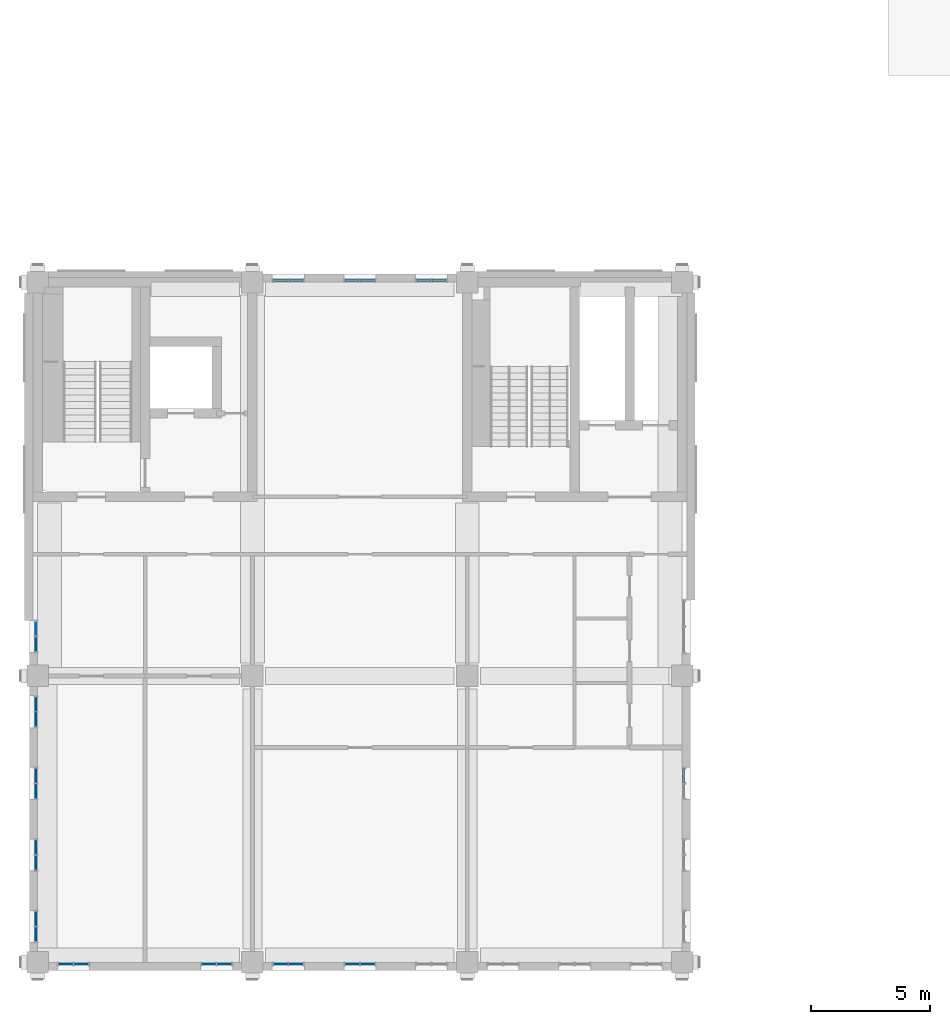
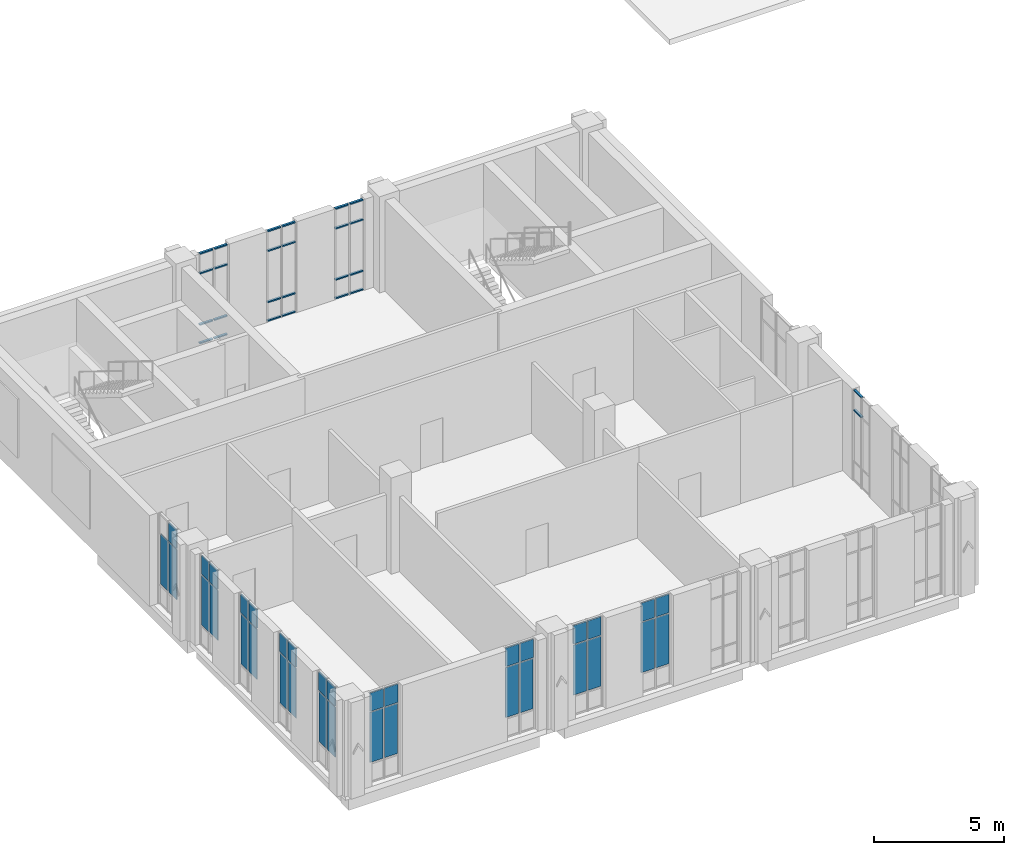
# One storey, part 12 of 25: 35 plates, 26 members, 13 elements without a shape of their own.
"""IFC4 building model written with IfcOpenShell, lengths in metres."""

from ifc_helpers import new_model, si_unit, direction, frame, origin, origin_2d, place, context, subcontext, project, spatial, rectangle, extrude, material, layer, layer_set, material_profile, profile_set, type_object, element, aggregate, save


model = new_model("IFC4")

# Units and contexts
model_context = context("Model", 3, precision=1e-05, world=origin(), true_north=direction((0.0, 1.0)))
body_context = subcontext(model_context, "Body", "Model", "MODEL_VIEW")
ifc_project = project(units=[si_unit("LENGTHUNIT", "METRE"), si_unit("AREAUNIT", "SQUARE_METRE"), si_unit("VOLUMEUNIT", "CUBIC_METRE"), si_unit("PLANEANGLEUNIT", "RADIAN"), si_unit("MASSUNIT", "GRAM", prefix="KILO")], contexts=[model_context])

# Site, building, storey
site_placement = place(None, origin())
site = spatial("IfcSite", under=ifc_project, at=site_placement, CompositionType="ELEMENT")
building_placement = place(site_placement, origin())
building = spatial("IfcBuilding", under=site, at=building_placement, Name="Aurelan Courthouse", CompositionType="ELEMENT")
storey_placement = place(building_placement, frame((0.0, 0.0, 44.39990234375)))
storey = spatial("IfcBuildingStorey", under=building, at=storey_placement, Name="L08", CompositionType="ELEMENT", Elevation=44.39990234375)

# Curtain wall, members
ifc_material_1 = material(Name="Bronze-finished aluminium and glass", Category="aluminium")
ifc_layer_1 = layer(ifc_material_1, 0.14990234375)
ifc_layer_set_1 = layer_set([ifc_layer_1], Name="Bronze-finished aluminium and glass")
curtain_wall_type = type_object("IfcCurtainWallType", Name="Curtain wall 1350 x 4250", PredefinedType="NOTDEFINED", material=ifc_layer_set_1)
curtain_wall_1_placement = place(storey_placement, origin())
curtain_wall_1 = element("IfcCurtainWall", 1, at=curtain_wall_1_placement, inside=storey, type_object=curtain_wall_type, Name="Curtain wall CW-V5-L08-N01", PredefinedType="NOTDEFINED")
ifc_material_2 = material(Name="Bronze-finished aluminium", Category="aluminium")
ifc_material_profile = material_profile(ifc_material_2, rectangle(XDim=0.10009765625, YDim=0.06005859375, at=origin_2d()), Name="Bronze transom 60 x 100")
ifc_profile_set = profile_set([ifc_material_profile], Name="Bronze-finished aluminium")
member_type = type_object("IfcMemberType", Name="Curtain wall transom 60 x 100", PredefinedType="USERDEFINED", material=ifc_profile_set)
member_1_placement = place(storey_placement, frame((9.885009765625, 28.574951171875, 0.030029296875), z_axis=(1.0, 0.0, 0.0), x_axis=(0.0, 1.0, 0.0)))
member_1 = element("IfcMember", 2, at=member_1_placement, type_object=member_type, Name="CW-V5-L08-N01 transom 1.1", ObjectType="TRANSOM", PredefinedType="USERDEFINED", context=body_context, shape_type="SweptSolid", body=[
    extrude(rectangle(XDim=0.10009765625, YDim=0.06005859375, at=origin_2d()), origin(), (0.0, 0.0, 1.0), 0.5849609375),
])
member_2_placement = place(storey_placement, frame((9.885009765625, 28.574951171875, 0.900146484375), z_axis=(1.0, 0.0, 0.0), x_axis=(0.0, 1.0, 0.0)))
member_2 = element("IfcMember", 3, at=member_2_placement, type_object=member_type, Name="CW-V5-L08-N01 transom 1.2", ObjectType="TRANSOM", PredefinedType="USERDEFINED", context=body_context, shape_type="SweptSolid", body=[
    extrude(rectangle(XDim=0.10009765625, YDim=0.06005859375, at=origin_2d()), origin(), (0.0, 0.0, 1.0), 0.5849609375),
])
member_3_placement = place(storey_placement, frame((9.885009765625, 28.574951171875, 3.300048828125), z_axis=(1.0, 0.0, 0.0), x_axis=(0.0, 1.0, 0.0)))
member_3 = element("IfcMember", 4, at=member_3_placement, type_object=member_type, Name="CW-V5-L08-N01 transom 1.3", ObjectType="TRANSOM", PredefinedType="USERDEFINED", context=body_context, shape_type="SweptSolid", body=[
    extrude(rectangle(XDim=0.10009765625, YDim=0.06005859375, at=origin_2d()), origin(), (0.0, 0.0, 1.0), 0.5849609375),
])
member_4_placement = place(storey_placement, frame((9.885009765625, 28.574951171875, 4.22021484375), z_axis=(1.0, 0.0, 0.0), x_axis=(0.0, 1.0, 0.0)))
member_4 = element("IfcMember", 5, at=member_4_placement, type_object=member_type, Name="CW-V5-L08-N01 transom 1.4", ObjectType="TRANSOM", PredefinedType="USERDEFINED", context=body_context, shape_type="SweptSolid", body=[
    extrude(rectangle(XDim=0.10009765625, YDim=0.06005859375, at=origin_2d()), origin(), (0.0, 0.0, 1.0), 0.5849609375),
])
member_5_placement = place(storey_placement, frame((10.530029296875, 28.574951171875, 0.030029296875), z_axis=(1.0, 0.0, 0.0), x_axis=(0.0, 1.0, 0.0)))
member_5 = element("IfcMember", 6, at=member_5_placement, type_object=member_type, Name="CW-V5-L08-N01 transom 2.1", ObjectType="TRANSOM", PredefinedType="USERDEFINED", context=body_context, shape_type="SweptSolid", body=[
    extrude(rectangle(XDim=0.10009765625, YDim=0.06005859375, at=origin_2d()), origin(), (0.0, 0.0, 1.0), 0.5849609375),
])
member_6_placement = place(storey_placement, frame((10.530029296875, 28.574951171875, 0.900146484375), z_axis=(1.0, 0.0, 0.0), x_axis=(0.0, 1.0, 0.0)))
member_6 = element("IfcMember", 7, at=member_6_placement, type_object=member_type, Name="CW-V5-L08-N01 transom 2.2", ObjectType="TRANSOM", PredefinedType="USERDEFINED", context=body_context, shape_type="SweptSolid", body=[
    extrude(rectangle(XDim=0.10009765625, YDim=0.06005859375, at=origin_2d()), origin(), (0.0, 0.0, 1.0), 0.5849609375),
])
member_7_placement = place(storey_placement, frame((10.530029296875, 28.574951171875, 3.300048828125), z_axis=(1.0, 0.0, 0.0), x_axis=(0.0, 1.0, 0.0)))
member_7 = element("IfcMember", 8, at=member_7_placement, type_object=member_type, Name="CW-V5-L08-N01 transom 2.3", ObjectType="TRANSOM", PredefinedType="USERDEFINED", context=body_context, shape_type="SweptSolid", body=[
    extrude(rectangle(XDim=0.10009765625, YDim=0.06005859375, at=origin_2d()), origin(), (0.0, 0.0, 1.0), 0.5849609375),
])
member_8_placement = place(storey_placement, frame((10.530029296875, 28.574951171875, 4.22021484375), z_axis=(1.0, 0.0, 0.0), x_axis=(0.0, 1.0, 0.0)))
member_8 = element("IfcMember", 9, at=member_8_placement, type_object=member_type, Name="CW-V5-L08-N01 transom 2.4", ObjectType="TRANSOM", PredefinedType="USERDEFINED", context=body_context, shape_type="SweptSolid", body=[
    extrude(rectangle(XDim=0.10009765625, YDim=0.06005859375, at=origin_2d()), origin(), (0.0, 0.0, 1.0), 0.5849609375),
])
aggregate(curtain_wall_1, [member_1, member_2, member_3, member_4, member_5, member_6, member_7, member_8])

curtain_wall_2_placement = place(storey_placement, origin())
curtain_wall_2 = element("IfcCurtainWall", 10, at=curtain_wall_2_placement, inside=storey, type_object=curtain_wall_type, Name="Curtain wall CW-V5-L08-N02", PredefinedType="NOTDEFINED")
member_9_placement = place(storey_placement, frame((12.885009765625, 28.574951171875, 0.030029296875), z_axis=(1.0, 0.0, 0.0), x_axis=(0.0, 1.0, 0.0)))
member_9 = element("IfcMember", 11, at=member_9_placement, type_object=member_type, Name="CW-V5-L08-N02 transom 1.1", ObjectType="TRANSOM", PredefinedType="USERDEFINED", context=body_context, shape_type="SweptSolid", body=[
    extrude(rectangle(XDim=0.10009765625, YDim=0.06005859375, at=origin_2d()), origin(), (0.0, 0.0, 1.0), 0.5849609375),
])
member_10_placement = place(storey_placement, frame((12.885009765625, 28.574951171875, 0.900146484375), z_axis=(1.0, 0.0, 0.0), x_axis=(0.0, 1.0, 0.0)))
member_10 = element("IfcMember", 12, at=member_10_placement, type_object=member_type, Name="CW-V5-L08-N02 transom 1.2", ObjectType="TRANSOM", PredefinedType="USERDEFINED", context=body_context, shape_type="SweptSolid", body=[
    extrude(rectangle(XDim=0.10009765625, YDim=0.06005859375, at=origin_2d()), origin(), (0.0, 0.0, 1.0), 0.5849609375),
])
member_11_placement = place(storey_placement, frame((12.885009765625, 28.574951171875, 3.300048828125), z_axis=(1.0, 0.0, 0.0), x_axis=(0.0, 1.0, 0.0)))
member_11 = element("IfcMember", 13, at=member_11_placement, type_object=member_type, Name="CW-V5-L08-N02 transom 1.3", ObjectType="TRANSOM", PredefinedType="USERDEFINED", context=body_context, shape_type="SweptSolid", body=[
    extrude(rectangle(XDim=0.10009765625, YDim=0.06005859375, at=origin_2d()), origin(), (0.0, 0.0, 1.0), 0.5849609375),
])
member_12_placement = place(storey_placement, frame((12.885009765625, 28.574951171875, 4.22021484375), z_axis=(1.0, 0.0, 0.0), x_axis=(0.0, 1.0, 0.0)))
member_12 = element("IfcMember", 14, at=member_12_placement, type_object=member_type, Name="CW-V5-L08-N02 transom 1.4", ObjectType="TRANSOM", PredefinedType="USERDEFINED", context=body_context, shape_type="SweptSolid", body=[
    extrude(rectangle(XDim=0.10009765625, YDim=0.06005859375, at=origin_2d()), origin(), (0.0, 0.0, 1.0), 0.5849609375),
])
member_13_placement = place(storey_placement, frame((13.530029296875, 28.574951171875, 0.030029296875), z_axis=(1.0, 0.0, 0.0), x_axis=(0.0, 1.0, 0.0)))
member_13 = element("IfcMember", 15, at=member_13_placement, type_object=member_type, Name="CW-V5-L08-N02 transom 2.1", ObjectType="TRANSOM", PredefinedType="USERDEFINED", context=body_context, shape_type="SweptSolid", body=[
    extrude(rectangle(XDim=0.10009765625, YDim=0.06005859375, at=origin_2d()), origin(), (0.0, 0.0, 1.0), 0.5849609375),
])
member_14_placement = place(storey_placement, frame((13.530029296875, 28.574951171875, 0.900146484375), z_axis=(1.0, 0.0, 0.0), x_axis=(0.0, 1.0, 0.0)))
member_14 = element("IfcMember", 16, at=member_14_placement, type_object=member_type, Name="CW-V5-L08-N02 transom 2.2", ObjectType="TRANSOM", PredefinedType="USERDEFINED", context=body_context, shape_type="SweptSolid", body=[
    extrude(rectangle(XDim=0.10009765625, YDim=0.06005859375, at=origin_2d()), origin(), (0.0, 0.0, 1.0), 0.5849609375),
])
member_15_placement = place(storey_placement, frame((13.530029296875, 28.574951171875, 3.300048828125), z_axis=(1.0, 0.0, 0.0), x_axis=(0.0, 1.0, 0.0)))
member_15 = element("IfcMember", 17, at=member_15_placement, type_object=member_type, Name="CW-V5-L08-N02 transom 2.3", ObjectType="TRANSOM", PredefinedType="USERDEFINED", context=body_context, shape_type="SweptSolid", body=[
    extrude(rectangle(XDim=0.10009765625, YDim=0.06005859375, at=origin_2d()), origin(), (0.0, 0.0, 1.0), 0.5849609375),
])
member_16_placement = place(storey_placement, frame((13.530029296875, 28.574951171875, 4.22021484375), z_axis=(1.0, 0.0, 0.0), x_axis=(0.0, 1.0, 0.0)))
member_16 = element("IfcMember", 18, at=member_16_placement, type_object=member_type, Name="CW-V5-L08-N02 transom 2.4", ObjectType="TRANSOM", PredefinedType="USERDEFINED", context=body_context, shape_type="SweptSolid", body=[
    extrude(rectangle(XDim=0.10009765625, YDim=0.06005859375, at=origin_2d()), origin(), (0.0, 0.0, 1.0), 0.5849609375),
])
aggregate(curtain_wall_2, [member_9, member_10, member_11, member_12, member_13, member_14, member_15, member_16])

curtain_wall_3_placement = place(storey_placement, origin())
curtain_wall_3 = element("IfcCurtainWall", 19, at=curtain_wall_3_placement, inside=storey, type_object=curtain_wall_type, Name="Curtain wall CW-V5-L08-N03", PredefinedType="NOTDEFINED")
member_17_placement = place(storey_placement, frame((15.885009765625, 28.574951171875, 0.030029296875), z_axis=(1.0, 0.0, 0.0), x_axis=(0.0, 1.0, 0.0)))
member_17 = element("IfcMember", 20, at=member_17_placement, type_object=member_type, Name="CW-V5-L08-N03 transom 1.1", ObjectType="TRANSOM", PredefinedType="USERDEFINED", context=body_context, shape_type="SweptSolid", body=[
    extrude(rectangle(XDim=0.10009765625, YDim=0.06005859375, at=origin_2d()), origin(), (0.0, 0.0, 1.0), 0.5849609375),
])
member_18_placement = place(storey_placement, frame((15.885009765625, 28.574951171875, 0.900146484375), z_axis=(1.0, 0.0, 0.0), x_axis=(0.0, 1.0, 0.0)))
member_18 = element("IfcMember", 21, at=member_18_placement, type_object=member_type, Name="CW-V5-L08-N03 transom 1.2", ObjectType="TRANSOM", PredefinedType="USERDEFINED", context=body_context, shape_type="SweptSolid", body=[
    extrude(rectangle(XDim=0.10009765625, YDim=0.06005859375, at=origin_2d()), origin(), (0.0, 0.0, 1.0), 0.5849609375),
])
member_19_placement = place(storey_placement, frame((15.885009765625, 28.574951171875, 3.300048828125), z_axis=(1.0, 0.0, 0.0), x_axis=(0.0, 1.0, 0.0)))
member_19 = element("IfcMember", 22, at=member_19_placement, type_object=member_type, Name="CW-V5-L08-N03 transom 1.3", ObjectType="TRANSOM", PredefinedType="USERDEFINED", context=body_context, shape_type="SweptSolid", body=[
    extrude(rectangle(XDim=0.10009765625, YDim=0.06005859375, at=origin_2d()), origin(), (0.0, 0.0, 1.0), 0.5849609375),
])
member_20_placement = place(storey_placement, frame((15.885009765625, 28.574951171875, 4.22021484375), z_axis=(1.0, 0.0, 0.0), x_axis=(0.0, 1.0, 0.0)))
member_20 = element("IfcMember", 23, at=member_20_placement, type_object=member_type, Name="CW-V5-L08-N03 transom 1.4", ObjectType="TRANSOM", PredefinedType="USERDEFINED", context=body_context, shape_type="SweptSolid", body=[
    extrude(rectangle(XDim=0.10009765625, YDim=0.06005859375, at=origin_2d()), origin(), (0.0, 0.0, 1.0), 0.5849609375),
])
member_21_placement = place(storey_placement, frame((16.530029296875, 28.574951171875, 0.030029296875), z_axis=(1.0, 0.0, 0.0), x_axis=(0.0, 1.0, 0.0)))
member_21 = element("IfcMember", 24, at=member_21_placement, type_object=member_type, Name="CW-V5-L08-N03 transom 2.1", ObjectType="TRANSOM", PredefinedType="USERDEFINED", context=body_context, shape_type="SweptSolid", body=[
    extrude(rectangle(XDim=0.10009765625, YDim=0.06005859375, at=origin_2d()), origin(), (0.0, 0.0, 1.0), 0.5849609375),
])
member_22_placement = place(storey_placement, frame((16.530029296875, 28.574951171875, 0.900146484375), z_axis=(1.0, 0.0, 0.0), x_axis=(0.0, 1.0, 0.0)))
member_22 = element("IfcMember", 25, at=member_22_placement, type_object=member_type, Name="CW-V5-L08-N03 transom 2.2", ObjectType="TRANSOM", PredefinedType="USERDEFINED", context=body_context, shape_type="SweptSolid", body=[
    extrude(rectangle(XDim=0.10009765625, YDim=0.06005859375, at=origin_2d()), origin(), (0.0, 0.0, 1.0), 0.5849609375),
])
member_23_placement = place(storey_placement, frame((16.530029296875, 28.574951171875, 3.300048828125), z_axis=(1.0, 0.0, 0.0), x_axis=(0.0, 1.0, 0.0)))
member_23 = element("IfcMember", 26, at=member_23_placement, type_object=member_type, Name="CW-V5-L08-N03 transom 2.3", ObjectType="TRANSOM", PredefinedType="USERDEFINED", context=body_context, shape_type="SweptSolid", body=[
    extrude(rectangle(XDim=0.10009765625, YDim=0.06005859375, at=origin_2d()), origin(), (0.0, 0.0, 1.0), 0.5849609375),
])
member_24_placement = place(storey_placement, frame((16.530029296875, 28.574951171875, 4.22021484375), z_axis=(1.0, 0.0, 0.0), x_axis=(0.0, 1.0, 0.0)))
member_24 = element("IfcMember", 27, at=member_24_placement, type_object=member_type, Name="CW-V5-L08-N03 transom 2.4", ObjectType="TRANSOM", PredefinedType="USERDEFINED", context=body_context, shape_type="SweptSolid", body=[
    extrude(rectangle(XDim=0.10009765625, YDim=0.06005859375, at=origin_2d()), origin(), (0.0, 0.0, 1.0), 0.5849609375),
])
aggregate(curtain_wall_3, [member_17, member_18, member_19, member_20, member_21, member_22, member_23, member_24])

curtain_wall_4_placement = place(storey_placement, origin())
curtain_wall_4 = element("IfcCurtainWall", 28, at=curtain_wall_4_placement, inside=storey, type_object=curtain_wall_type, Name="Curtain wall CW-V5-L08-E03", PredefinedType="NOTDEFINED")
member_25_placement = place(storey_placement, frame((27.074951171875, 7.530029296875, 3.300048828125), z_axis=(0.0, 1.0, 0.0), x_axis=(-1.0, 0.0, 0.0)))
member_25 = element("IfcMember", 29, at=member_25_placement, type_object=member_type, Name="CW-V5-L08-E03 transom 2.3", ObjectType="TRANSOM", PredefinedType="USERDEFINED", context=body_context, shape_type="SweptSolid", body=[
    extrude(rectangle(XDim=0.10009765625, YDim=0.06005859375, at=origin_2d()), origin(), (0.0, 0.0, 1.0), 0.5849609375),
])
member_26_placement = place(storey_placement, frame((27.074951171875, 7.530029296875, 4.22021484375), z_axis=(0.0, 1.0, 0.0), x_axis=(-1.0, 0.0, 0.0)))
member_26 = element("IfcMember", 30, at=member_26_placement, type_object=member_type, Name="CW-V5-L08-E03 transom 2.4", ObjectType="TRANSOM", PredefinedType="USERDEFINED", context=body_context, shape_type="SweptSolid", body=[
    extrude(rectangle(XDim=0.10009765625, YDim=0.06005859375, at=origin_2d()), origin(), (0.0, 0.0, 1.0), 0.5849609375),
])
aggregate(curtain_wall_4, [member_25, member_26])

# Curtain wall, plates
curtain_wall_5_placement = place(storey_placement, origin())
curtain_wall_5 = element("IfcCurtainWall", 31, at=curtain_wall_5_placement, inside=storey, type_object=curtain_wall_type, Name="Curtain wall CW-V5-L08-S01", PredefinedType="NOTDEFINED")
ifc_material_3 = material(Name="Limestone cladding", Category="masonry")
ifc_layer_2 = layer(ifc_material_3, 0.0400390625, Name="Facing")
ifc_material_4 = material(Name="Bronze sheet cladding", Category="bronze")
ifc_layer_3 = layer(ifc_material_4, 0.02001953125, Name="Back sheet")
ifc_layer_set_2 = layer_set([ifc_layer_2, ifc_layer_3], Name="Limestone cladding")
plate_type_1 = type_object("IfcPlateType", Name="Limestone spandrel panel with bronze back sheet 60", PredefinedType="CURTAIN_PANEL", material=ifc_layer_set_2)
plate_1_placement = place(storey_placement, frame((1.177490234375, -0.074951171875, 3.330078125), z_axis=(0.0, 0.0, 1.0), x_axis=(1.0, 0.0, 0.0)))
plate_1 = element("IfcPlate", 32, at=plate_1_placement, type_object=plate_type_1, Name="CW-V5-L08-S01 spandrel panel 1.3", PredefinedType="CURTAIN_PANEL", context=body_context, shape_type="SweptSolid", body=[
    extrude(rectangle(XDim=0.5849609375, YDim=0.06005859375, at=origin_2d()), origin(), (0.0, 0.0, 1.0), 0.860107421875),
])
plate_2_placement = place(storey_placement, frame((1.822509765625, -0.074951171875, 3.330078125), z_axis=(0.0, 0.0, 1.0), x_axis=(1.0, 0.0, 0.0)))
plate_2 = element("IfcPlate", 33, at=plate_2_placement, type_object=plate_type_1, Name="CW-V5-L08-S01 spandrel panel 2.3", PredefinedType="CURTAIN_PANEL", context=body_context, shape_type="SweptSolid", body=[
    extrude(rectangle(XDim=0.5849609375, YDim=0.06005859375, at=origin_2d()), origin(), (0.0, 0.0, 1.0), 0.860107421875),
])

curtain_wall_6_placement = place(storey_placement, origin())
curtain_wall_6 = element("IfcCurtainWall", 34, at=curtain_wall_6_placement, inside=storey, type_object=curtain_wall_type, Name="Curtain wall CW-V5-L08-S02", PredefinedType="NOTDEFINED")
plate_3_placement = place(storey_placement, frame((7.177490234375, -0.074951171875, 3.330078125), z_axis=(0.0, 0.0, 1.0), x_axis=(1.0, 0.0, 0.0)))
plate_3 = element("IfcPlate", 35, at=plate_3_placement, type_object=plate_type_1, Name="CW-V5-L08-S02 spandrel panel 1.3", PredefinedType="CURTAIN_PANEL", context=body_context, shape_type="SweptSolid", body=[
    extrude(rectangle(XDim=0.5849609375, YDim=0.06005859375, at=origin_2d()), origin(), (0.0, 0.0, 1.0), 0.860107421875),
])
plate_4_placement = place(storey_placement, frame((7.822509765625, -0.074951171875, 3.330078125), z_axis=(0.0, 0.0, 1.0), x_axis=(1.0, 0.0, 0.0)))
plate_4 = element("IfcPlate", 36, at=plate_4_placement, type_object=plate_type_1, Name="CW-V5-L08-S02 spandrel panel 2.3", PredefinedType="CURTAIN_PANEL", context=body_context, shape_type="SweptSolid", body=[
    extrude(rectangle(XDim=0.5849609375, YDim=0.06005859375, at=origin_2d()), origin(), (0.0, 0.0, 1.0), 0.860107421875),
])

curtain_wall_7_placement = place(storey_placement, origin())
curtain_wall_7 = element("IfcCurtainWall", 37, at=curtain_wall_7_placement, inside=storey, type_object=curtain_wall_type, Name="Curtain wall CW-V5-L08-S03", PredefinedType="NOTDEFINED")
plate_5_placement = place(storey_placement, frame((10.177490234375, -0.074951171875, 3.330078125), z_axis=(0.0, 0.0, 1.0), x_axis=(1.0, 0.0, 0.0)))
plate_5 = element("IfcPlate", 38, at=plate_5_placement, type_object=plate_type_1, Name="CW-V5-L08-S03 spandrel panel 1.3", PredefinedType="CURTAIN_PANEL", context=body_context, shape_type="SweptSolid", body=[
    extrude(rectangle(XDim=0.5849609375, YDim=0.06005859375, at=origin_2d()), origin(), (0.0, 0.0, 1.0), 0.860107421875),
])
plate_6_placement = place(storey_placement, frame((10.822509765625, -0.074951171875, 3.330078125), z_axis=(0.0, 0.0, 1.0), x_axis=(1.0, 0.0, 0.0)))
plate_6 = element("IfcPlate", 39, at=plate_6_placement, type_object=plate_type_1, Name="CW-V5-L08-S03 spandrel panel 2.3", PredefinedType="CURTAIN_PANEL", context=body_context, shape_type="SweptSolid", body=[
    extrude(rectangle(XDim=0.5849609375, YDim=0.06005859375, at=origin_2d()), origin(), (0.0, 0.0, 1.0), 0.860107421875),
])

curtain_wall_8_placement = place(storey_placement, origin())
curtain_wall_8 = element("IfcCurtainWall", 40, at=curtain_wall_8_placement, inside=storey, type_object=curtain_wall_type, Name="Curtain wall CW-V5-L08-S04", PredefinedType="NOTDEFINED")
plate_7_placement = place(storey_placement, frame((13.177490234375, -0.074951171875, 3.330078125), z_axis=(0.0, 0.0, 1.0), x_axis=(1.0, 0.0, 0.0)))
plate_7 = element("IfcPlate", 41, at=plate_7_placement, type_object=plate_type_1, Name="CW-V5-L08-S04 spandrel panel 1.3", PredefinedType="CURTAIN_PANEL", context=body_context, shape_type="SweptSolid", body=[
    extrude(rectangle(XDim=0.5849609375, YDim=0.06005859375, at=origin_2d()), origin(), (0.0, 0.0, 1.0), 0.860107421875),
])
plate_8_placement = place(storey_placement, frame((13.822509765625, -0.074951171875, 3.330078125), z_axis=(0.0, 0.0, 1.0), x_axis=(1.0, 0.0, 0.0)))
plate_8 = element("IfcPlate", 42, at=plate_8_placement, type_object=plate_type_1, Name="CW-V5-L08-S04 spandrel panel 2.3", PredefinedType="CURTAIN_PANEL", context=body_context, shape_type="SweptSolid", body=[
    extrude(rectangle(XDim=0.5849609375, YDim=0.06005859375, at=origin_2d()), origin(), (0.0, 0.0, 1.0), 0.860107421875),
])

curtain_wall_9_placement = place(storey_placement, origin())
curtain_wall_9 = element("IfcCurtainWall", 43, at=curtain_wall_9_placement, inside=storey, type_object=curtain_wall_type, Name="Curtain wall CW-V5-L08-W01", PredefinedType="NOTDEFINED")
plate_9_placement = place(storey_placement, frame((-0.074951171875, 1.177490234375, 3.330078125), z_axis=(0.0, 0.0, 1.0), x_axis=(0.0, 1.0, 0.0)))
plate_9 = element("IfcPlate", 44, at=plate_9_placement, type_object=plate_type_1, Name="CW-V5-L08-W01 spandrel panel 1.3", PredefinedType="CURTAIN_PANEL", context=body_context, shape_type="SweptSolid", body=[
    extrude(rectangle(XDim=0.5849609375, YDim=0.06005859375, at=origin_2d()), origin(), (0.0, 0.0, 1.0), 0.860107421875),
])
plate_10_placement = place(storey_placement, frame((-0.074951171875, 1.822509765625, 3.330078125), z_axis=(0.0, 0.0, 1.0), x_axis=(0.0, 1.0, 0.0)))
plate_10 = element("IfcPlate", 45, at=plate_10_placement, type_object=plate_type_1, Name="CW-V5-L08-W01 spandrel panel 2.3", PredefinedType="CURTAIN_PANEL", context=body_context, shape_type="SweptSolid", body=[
    extrude(rectangle(XDim=0.5849609375, YDim=0.06005859375, at=origin_2d()), origin(), (0.0, 0.0, 1.0), 0.860107421875),
])

curtain_wall_10_placement = place(storey_placement, origin())
curtain_wall_10 = element("IfcCurtainWall", 46, at=curtain_wall_10_placement, inside=storey, type_object=curtain_wall_type, Name="Curtain wall CW-V5-L08-W02", PredefinedType="NOTDEFINED")
plate_11_placement = place(storey_placement, frame((-0.074951171875, 4.177490234375, 3.330078125), z_axis=(0.0, 0.0, 1.0), x_axis=(0.0, 1.0, 0.0)))
plate_11 = element("IfcPlate", 47, at=plate_11_placement, type_object=plate_type_1, Name="CW-V5-L08-W02 spandrel panel 1.3", PredefinedType="CURTAIN_PANEL", context=body_context, shape_type="SweptSolid", body=[
    extrude(rectangle(XDim=0.5849609375, YDim=0.06005859375, at=origin_2d()), origin(), (0.0, 0.0, 1.0), 0.860107421875),
])
plate_12_placement = place(storey_placement, frame((-0.074951171875, 4.822509765625, 3.330078125), z_axis=(0.0, 0.0, 1.0), x_axis=(0.0, 1.0, 0.0)))
plate_12 = element("IfcPlate", 48, at=plate_12_placement, type_object=plate_type_1, Name="CW-V5-L08-W02 spandrel panel 2.3", PredefinedType="CURTAIN_PANEL", context=body_context, shape_type="SweptSolid", body=[
    extrude(rectangle(XDim=0.5849609375, YDim=0.06005859375, at=origin_2d()), origin(), (0.0, 0.0, 1.0), 0.860107421875),
])

curtain_wall_11_placement = place(storey_placement, origin())
curtain_wall_11 = element("IfcCurtainWall", 49, at=curtain_wall_11_placement, inside=storey, type_object=curtain_wall_type, Name="Curtain wall CW-V5-L08-W03", PredefinedType="NOTDEFINED")
plate_13_placement = place(storey_placement, frame((-0.074951171875, 7.177490234375, 3.330078125), z_axis=(0.0, 0.0, 1.0), x_axis=(0.0, 1.0, 0.0)))
plate_13 = element("IfcPlate", 50, at=plate_13_placement, type_object=plate_type_1, Name="CW-V5-L08-W03 spandrel panel 1.3", PredefinedType="CURTAIN_PANEL", context=body_context, shape_type="SweptSolid", body=[
    extrude(rectangle(XDim=0.5849609375, YDim=0.06005859375, at=origin_2d()), origin(), (0.0, 0.0, 1.0), 0.860107421875),
])
plate_14_placement = place(storey_placement, frame((-0.074951171875, 7.822509765625, 3.330078125), z_axis=(0.0, 0.0, 1.0), x_axis=(0.0, 1.0, 0.0)))
plate_14 = element("IfcPlate", 51, at=plate_14_placement, type_object=plate_type_1, Name="CW-V5-L08-W03 spandrel panel 2.3", PredefinedType="CURTAIN_PANEL", context=body_context, shape_type="SweptSolid", body=[
    extrude(rectangle(XDim=0.5849609375, YDim=0.06005859375, at=origin_2d()), origin(), (0.0, 0.0, 1.0), 0.860107421875),
])

curtain_wall_12_placement = place(storey_placement, origin())
curtain_wall_12 = element("IfcCurtainWall", 52, at=curtain_wall_12_placement, inside=storey, type_object=curtain_wall_type, Name="Curtain wall CW-V5-L08-W04", PredefinedType="NOTDEFINED")
plate_15_placement = place(storey_placement, frame((-0.074951171875, 10.177490234375, 3.330078125), z_axis=(0.0, 0.0, 1.0), x_axis=(0.0, 1.0, 0.0)))
plate_15 = element("IfcPlate", 53, at=plate_15_placement, type_object=plate_type_1, Name="CW-V5-L08-W04 spandrel panel 1.3", PredefinedType="CURTAIN_PANEL", context=body_context, shape_type="SweptSolid", body=[
    extrude(rectangle(XDim=0.5849609375, YDim=0.06005859375, at=origin_2d()), origin(), (0.0, 0.0, 1.0), 0.860107421875),
])
plate_16_placement = place(storey_placement, frame((-0.074951171875, 10.822509765625, 3.330078125), z_axis=(0.0, 0.0, 1.0), x_axis=(0.0, 1.0, 0.0)))
plate_16 = element("IfcPlate", 54, at=plate_16_placement, type_object=plate_type_1, Name="CW-V5-L08-W04 spandrel panel 2.3", PredefinedType="CURTAIN_PANEL", context=body_context, shape_type="SweptSolid", body=[
    extrude(rectangle(XDim=0.5849609375, YDim=0.06005859375, at=origin_2d()), origin(), (0.0, 0.0, 1.0), 0.860107421875),
])

# Curtain wall, plate
curtain_wall_13_placement = place(storey_placement, origin())
curtain_wall_13 = element("IfcCurtainWall", 55, at=curtain_wall_13_placement, inside=storey, type_object=curtain_wall_type, Name="Curtain wall CW-V5-L08-W05", PredefinedType="NOTDEFINED")
plate_17_placement = place(storey_placement, frame((-0.074951171875, 13.327392578125, 3.330078125), z_axis=(0.0, 0.0, 1.0), x_axis=(0.0, 1.0, 0.0)))
plate_17 = element("IfcPlate", 56, at=plate_17_placement, type_object=plate_type_1, Name="CW-V5-L08-W05 spandrel panel 1.3", PredefinedType="CURTAIN_PANEL", context=body_context, shape_type="SweptSolid", body=[
    extrude(rectangle(XDim=0.5849609375, YDim=0.06005859375, at=origin_2d()), origin(), (0.0, 0.0, 1.0), 0.860107421875),
])

# Plate
ifc_material_5 = material(Name="Laminated low-emissivity glass", Category="glass")
ifc_layer_4 = layer(ifc_material_5, 0.028076171875)
ifc_layer_set_3 = layer_set([ifc_layer_4], Name="Laminated low-emissivity glass")
plate_type_2 = type_object("IfcPlateType", Name="Vision glass panel 28", PredefinedType="CURTAIN_PANEL", material=ifc_layer_set_3)
plate_18_placement = place(storey_placement, frame((1.177490234375, -0.074951171875, 0.93017578125), z_axis=(0.0, 0.0, 1.0), x_axis=(1.0, 0.0, 0.0)))
plate_18 = element("IfcPlate", 57, at=plate_18_placement, type_object=plate_type_2, Name="CW-V5-L08-S01 vision panel 1.2", PredefinedType="CURTAIN_PANEL", context=body_context, shape_type="SweptSolid", body=[
    extrude(rectangle(XDim=0.5849609375, YDim=0.028076171875, at=origin_2d()), origin(), (0.0, 0.0, 1.0), 2.340087890625),
])

plate_19_placement = place(storey_placement, frame((1.822509765625, -0.074951171875, 0.93017578125), z_axis=(0.0, 0.0, 1.0), x_axis=(1.0, 0.0, 0.0)))
plate_19 = element("IfcPlate", 58, at=plate_19_placement, type_object=plate_type_2, Name="CW-V5-L08-S01 vision panel 2.2", PredefinedType="CURTAIN_PANEL", context=body_context, shape_type="SweptSolid", body=[
    extrude(rectangle(XDim=0.5849609375, YDim=0.028076171875, at=origin_2d()), origin(), (0.0, 0.0, 1.0), 2.340087890625),
])

aggregate(curtain_wall_5, [plate_18, plate_1, plate_19, plate_2])

plate_20_placement = place(storey_placement, frame((7.177490234375, -0.074951171875, 0.93017578125), z_axis=(0.0, 0.0, 1.0), x_axis=(1.0, 0.0, 0.0)))
plate_20 = element("IfcPlate", 59, at=plate_20_placement, type_object=plate_type_2, Name="CW-V5-L08-S02 vision panel 1.2", PredefinedType="CURTAIN_PANEL", context=body_context, shape_type="SweptSolid", body=[
    extrude(rectangle(XDim=0.5849609375, YDim=0.028076171875, at=origin_2d()), origin(), (0.0, 0.0, 1.0), 2.340087890625),
])

plate_21_placement = place(storey_placement, frame((7.822509765625, -0.074951171875, 0.93017578125), z_axis=(0.0, 0.0, 1.0), x_axis=(1.0, 0.0, 0.0)))
plate_21 = element("IfcPlate", 60, at=plate_21_placement, type_object=plate_type_2, Name="CW-V5-L08-S02 vision panel 2.2", PredefinedType="CURTAIN_PANEL", context=body_context, shape_type="SweptSolid", body=[
    extrude(rectangle(XDim=0.5849609375, YDim=0.028076171875, at=origin_2d()), origin(), (0.0, 0.0, 1.0), 2.340087890625),
])

aggregate(curtain_wall_6, [plate_20, plate_3, plate_21, plate_4])

plate_22_placement = place(storey_placement, frame((10.177490234375, -0.074951171875, 0.93017578125), z_axis=(0.0, 0.0, 1.0), x_axis=(1.0, 0.0, 0.0)))
plate_22 = element("IfcPlate", 61, at=plate_22_placement, type_object=plate_type_2, Name="CW-V5-L08-S03 vision panel 1.2", PredefinedType="CURTAIN_PANEL", context=body_context, shape_type="SweptSolid", body=[
    extrude(rectangle(XDim=0.5849609375, YDim=0.028076171875, at=origin_2d()), origin(), (0.0, 0.0, 1.0), 2.340087890625),
])

plate_23_placement = place(storey_placement, frame((10.822509765625, -0.074951171875, 0.93017578125), z_axis=(0.0, 0.0, 1.0), x_axis=(1.0, 0.0, 0.0)))
plate_23 = element("IfcPlate", 62, at=plate_23_placement, type_object=plate_type_2, Name="CW-V5-L08-S03 vision panel 2.2", PredefinedType="CURTAIN_PANEL", context=body_context, shape_type="SweptSolid", body=[
    extrude(rectangle(XDim=0.5849609375, YDim=0.028076171875, at=origin_2d()), origin(), (0.0, 0.0, 1.0), 2.340087890625),
])

aggregate(curtain_wall_7, [plate_22, plate_5, plate_23, plate_6])

plate_24_placement = place(storey_placement, frame((13.177490234375, -0.074951171875, 0.93017578125), z_axis=(0.0, 0.0, 1.0), x_axis=(1.0, 0.0, 0.0)))
plate_24 = element("IfcPlate", 63, at=plate_24_placement, type_object=plate_type_2, Name="CW-V5-L08-S04 vision panel 1.2", PredefinedType="CURTAIN_PANEL", context=body_context, shape_type="SweptSolid", body=[
    extrude(rectangle(XDim=0.5849609375, YDim=0.028076171875, at=origin_2d()), origin(), (0.0, 0.0, 1.0), 2.340087890625),
])

plate_25_placement = place(storey_placement, frame((13.822509765625, -0.074951171875, 0.93017578125), z_axis=(0.0, 0.0, 1.0), x_axis=(1.0, 0.0, 0.0)))
plate_25 = element("IfcPlate", 64, at=plate_25_placement, type_object=plate_type_2, Name="CW-V5-L08-S04 vision panel 2.2", PredefinedType="CURTAIN_PANEL", context=body_context, shape_type="SweptSolid", body=[
    extrude(rectangle(XDim=0.5849609375, YDim=0.028076171875, at=origin_2d()), origin(), (0.0, 0.0, 1.0), 2.340087890625),
])

aggregate(curtain_wall_8, [plate_24, plate_7, plate_25, plate_8])

plate_26_placement = place(storey_placement, frame((-0.074951171875, 1.177490234375, 0.93017578125), z_axis=(0.0, 0.0, 1.0), x_axis=(0.0, 1.0, 0.0)))
plate_26 = element("IfcPlate", 65, at=plate_26_placement, type_object=plate_type_2, Name="CW-V5-L08-W01 vision panel 1.2", PredefinedType="CURTAIN_PANEL", context=body_context, shape_type="SweptSolid", body=[
    extrude(rectangle(XDim=0.5849609375, YDim=0.028076171875, at=origin_2d()), origin(), (0.0, 0.0, 1.0), 2.340087890625),
])

plate_27_placement = place(storey_placement, frame((-0.074951171875, 1.822509765625, 0.93017578125), z_axis=(0.0, 0.0, 1.0), x_axis=(0.0, 1.0, 0.0)))
plate_27 = element("IfcPlate", 66, at=plate_27_placement, type_object=plate_type_2, Name="CW-V5-L08-W01 vision panel 2.2", PredefinedType="CURTAIN_PANEL", context=body_context, shape_type="SweptSolid", body=[
    extrude(rectangle(XDim=0.5849609375, YDim=0.028076171875, at=origin_2d()), origin(), (0.0, 0.0, 1.0), 2.340087890625),
])

aggregate(curtain_wall_9, [plate_26, plate_9, plate_27, plate_10])

plate_28_placement = place(storey_placement, frame((-0.074951171875, 4.177490234375, 0.93017578125), z_axis=(0.0, 0.0, 1.0), x_axis=(0.0, 1.0, 0.0)))
plate_28 = element("IfcPlate", 67, at=plate_28_placement, type_object=plate_type_2, Name="CW-V5-L08-W02 vision panel 1.2", PredefinedType="CURTAIN_PANEL", context=body_context, shape_type="SweptSolid", body=[
    extrude(rectangle(XDim=0.5849609375, YDim=0.028076171875, at=origin_2d()), origin(), (0.0, 0.0, 1.0), 2.340087890625),
])

plate_29_placement = place(storey_placement, frame((-0.074951171875, 4.822509765625, 0.93017578125), z_axis=(0.0, 0.0, 1.0), x_axis=(0.0, 1.0, 0.0)))
plate_29 = element("IfcPlate", 68, at=plate_29_placement, type_object=plate_type_2, Name="CW-V5-L08-W02 vision panel 2.2", PredefinedType="CURTAIN_PANEL", context=body_context, shape_type="SweptSolid", body=[
    extrude(rectangle(XDim=0.5849609375, YDim=0.028076171875, at=origin_2d()), origin(), (0.0, 0.0, 1.0), 2.340087890625),
])

aggregate(curtain_wall_10, [plate_28, plate_11, plate_29, plate_12])

plate_30_placement = place(storey_placement, frame((-0.074951171875, 7.177490234375, 0.93017578125), z_axis=(0.0, 0.0, 1.0), x_axis=(0.0, 1.0, 0.0)))
plate_30 = element("IfcPlate", 69, at=plate_30_placement, type_object=plate_type_2, Name="CW-V5-L08-W03 vision panel 1.2", PredefinedType="CURTAIN_PANEL", context=body_context, shape_type="SweptSolid", body=[
    extrude(rectangle(XDim=0.5849609375, YDim=0.028076171875, at=origin_2d()), origin(), (0.0, 0.0, 1.0), 2.340087890625),
])

plate_31_placement = place(storey_placement, frame((-0.074951171875, 7.822509765625, 0.93017578125), z_axis=(0.0, 0.0, 1.0), x_axis=(0.0, 1.0, 0.0)))
plate_31 = element("IfcPlate", 70, at=plate_31_placement, type_object=plate_type_2, Name="CW-V5-L08-W03 vision panel 2.2", PredefinedType="CURTAIN_PANEL", context=body_context, shape_type="SweptSolid", body=[
    extrude(rectangle(XDim=0.5849609375, YDim=0.028076171875, at=origin_2d()), origin(), (0.0, 0.0, 1.0), 2.340087890625),
])

aggregate(curtain_wall_11, [plate_30, plate_13, plate_31, plate_14])

plate_32_placement = place(storey_placement, frame((-0.074951171875, 10.177490234375, 0.93017578125), z_axis=(0.0, 0.0, 1.0), x_axis=(0.0, 1.0, 0.0)))
plate_32 = element("IfcPlate", 71, at=plate_32_placement, type_object=plate_type_2, Name="CW-V5-L08-W04 vision panel 1.2", PredefinedType="CURTAIN_PANEL", context=body_context, shape_type="SweptSolid", body=[
    extrude(rectangle(XDim=0.5849609375, YDim=0.028076171875, at=origin_2d()), origin(), (0.0, 0.0, 1.0), 2.340087890625),
])

plate_33_placement = place(storey_placement, frame((-0.074951171875, 10.822509765625, 0.93017578125), z_axis=(0.0, 0.0, 1.0), x_axis=(0.0, 1.0, 0.0)))
plate_33 = element("IfcPlate", 72, at=plate_33_placement, type_object=plate_type_2, Name="CW-V5-L08-W04 vision panel 2.2", PredefinedType="CURTAIN_PANEL", context=body_context, shape_type="SweptSolid", body=[
    extrude(rectangle(XDim=0.5849609375, YDim=0.028076171875, at=origin_2d()), origin(), (0.0, 0.0, 1.0), 2.340087890625),
])

aggregate(curtain_wall_12, [plate_32, plate_15, plate_33, plate_16])

plate_34_placement = place(storey_placement, frame((-0.074951171875, 13.327392578125, 0.93017578125), z_axis=(0.0, 0.0, 1.0), x_axis=(0.0, 1.0, 0.0)))
plate_34 = element("IfcPlate", 73, at=plate_34_placement, type_object=plate_type_2, Name="CW-V5-L08-W05 vision panel 1.2", PredefinedType="CURTAIN_PANEL", context=body_context, shape_type="SweptSolid", body=[
    extrude(rectangle(XDim=0.5849609375, YDim=0.028076171875, at=origin_2d()), origin(), (0.0, 0.0, 1.0), 2.340087890625),
])

plate_35_placement = place(storey_placement, frame((-0.074951171875, 13.972412109375, 0.93017578125), z_axis=(0.0, 0.0, 1.0), x_axis=(0.0, 1.0, 0.0)))
plate_35 = element("IfcPlate", 74, at=plate_35_placement, type_object=plate_type_2, Name="CW-V5-L08-W05 vision panel 2.2", PredefinedType="CURTAIN_PANEL", context=body_context, shape_type="SweptSolid", body=[
    extrude(rectangle(XDim=0.5849609375, YDim=0.028076171875, at=origin_2d()), origin(), (0.0, 0.0, 1.0), 2.340087890625),
])

aggregate(curtain_wall_13, [plate_34, plate_17, plate_35])

save(model, "model.ifc")
